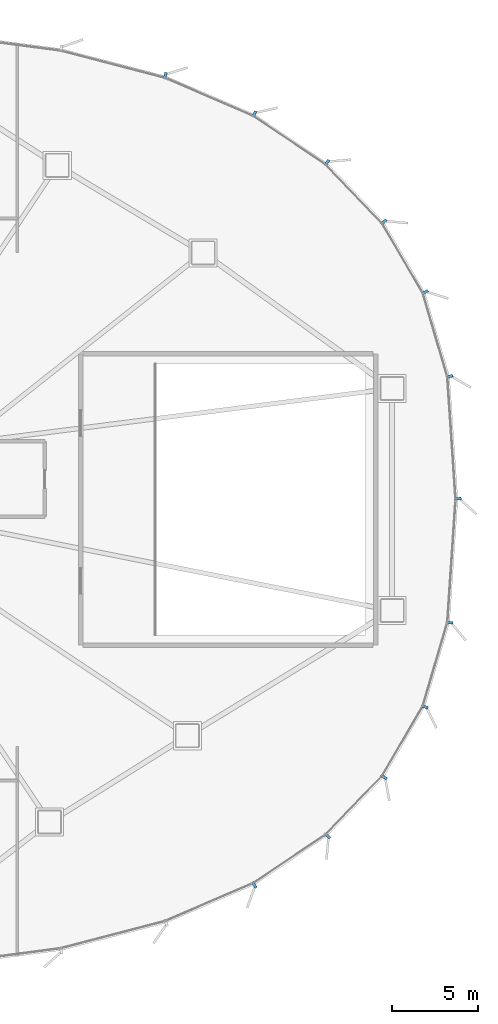
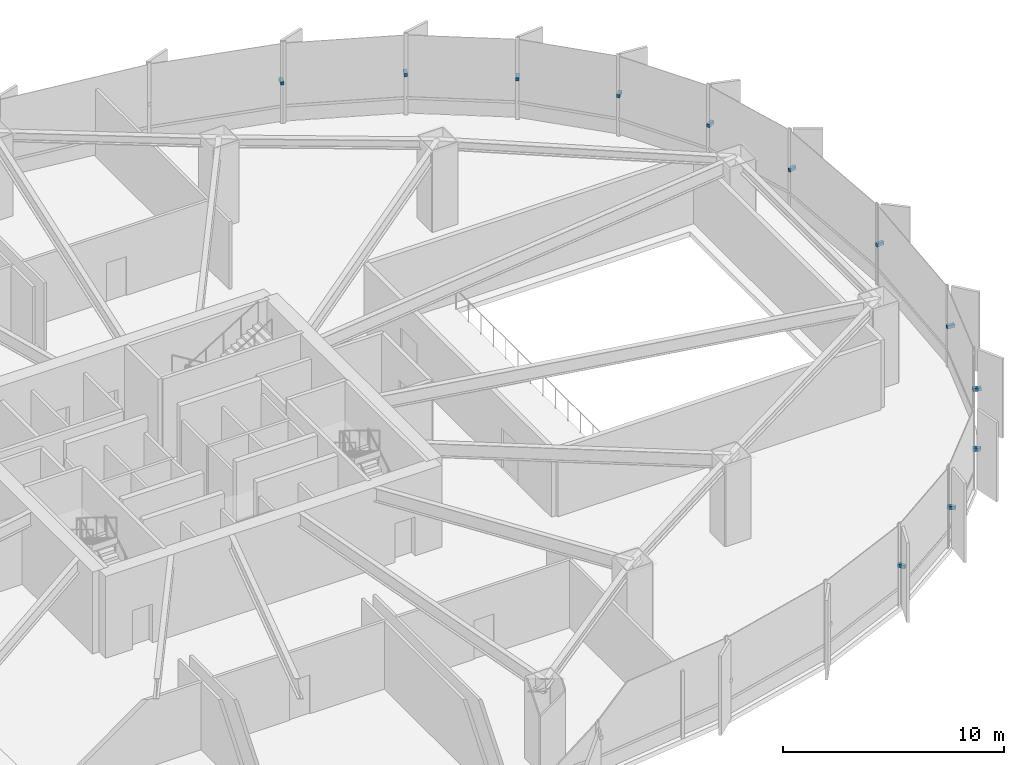
# One storey, part 28 of 34: 12 discrete accessories.
"""IFC4 building model written with IfcOpenShell, lengths in metres."""

from ifc_helpers import new_model, si_unit, direction, frame, origin, origin_2d, place, context, subcontext, project, spatial, rectangle, extrude, source, transform, mapped, material, type_object, element, save


model = new_model("IFC4")

# Units and contexts
model_context = context("Model", 3, precision=1e-05, world=origin(), true_north=direction((0.0, 1.0)))
body_context = subcontext(model_context, "Body", "Model", "MODEL_VIEW")
ifc_project = project(units=[si_unit("LENGTHUNIT", "METRE"), si_unit("AREAUNIT", "SQUARE_METRE"), si_unit("VOLUMEUNIT", "CUBIC_METRE"), si_unit("PLANEANGLEUNIT", "RADIAN"), si_unit("MASSUNIT", "GRAM", prefix="KILO"), si_unit("THERMODYNAMICTEMPERATUREUNIT", "KELVIN")], contexts=[model_context])

# Site, building, storey
site_placement = place(None, origin())
site = spatial("IfcSite", under=ifc_project, at=site_placement, CompositionType="ELEMENT")
building_placement = place(site_placement, origin())
building = spatial("IfcBuilding", under=site, at=building_placement, Name="Kethvar Cultural Tower", CompositionType="ELEMENT")
storey_placement = place(building_placement, frame((0.0, 0.0, 14.800048828125)))
storey = spatial("IfcBuildingStorey", under=building, at=storey_placement, Name="L03", CompositionType="ELEMENT", Elevation=14.800048828125)

# Discrete accessories
ifc_material = material(Name="Steel S355J2", Category="steel")
discrete_accessory_type = type_object("IfcDiscreteAccessoryType", Name="Steel Fin Bracket BRK-01", PredefinedType="BRACKET", material=ifc_material)
shared_shape = source(origin(), body_context, "Body", "SweptSolid", [
    extrude(rectangle(XDim=0.3798828125, YDim=0.159912109375, at=origin_2d()), origin(), (0.0, 0.0, 1.0), 0.179931640625),
])
for number, where, z_axis, x_axis, name in (
    (1, (83.206787109375, 27.849365234375, 2.1298828125), (0.0, 0.0, 1.0), (0.997754957227, 0.066970481029, 0.0), "L03 Terracotta Fin Bracket 1.1"),
    (2, (82.727294921875, 34.9814453125, 2.1298828125), (0.0, 0.0, 1.0), (0.959510852267, 0.281671660596, 0.0), "L03 Terracotta Fin Bracket 1.2"),
    (3, (81.28369140625, 39.896728515625, 2.1298828125), (0.0, 0.0, 1.0), (0.864011302865, 0.503472410885, 0.0), "L03 Terracotta Fin Bracket 1.3"),
    (4, (78.8916015625, 44.000732421875, 2.1298828125), (0.0, 0.0, 1.0), (0.72055111168, 0.693401828276, 0.0), "L03 Terracotta Fin Bracket 1.4"),
    (5, (75.568603515625, 47.4541015625, 2.1298828125), (0.0, 0.0, 1.0), (0.556585649903, 0.83079023485, 0.0), "L03 Terracotta Fin Bracket 1.5"),
    (6, (71.330322265625, 50.293212890625, 2.1298828125), (0.0, 0.0, 1.0), (0.396346847517, 0.9181008531, 0.0), "L03 Terracotta Fin Bracket 1.6"),
    (7, (66.128662109375, 52.531005859375, 2.1298828125), (0.0, 0.0, 1.0), (0.253082602519, 0.96744467351, 0.0), "L03 Terracotta Fin Bracket 2.1"),
    (8, (71.331787109375, 5.3076171875, 2.1298828125), (0.0, 0.0, 1.0), (0.556585649903, -0.83079023485, 0.0), "L03 Terracotta Fin Bracket 5.6"),
    (9, (75.60400390625, 8.182373046875, 2.1298828125), (0.0, 0.0, 1.0), (0.72055111168, -0.693401828276, 0.0), "L03 Terracotta Fin Bracket 6.1"),
    (10, (78.893310546875, 11.601318359375, 2.1298828125), (0.0, 0.0, 1.0), (0.864011302865, -0.503472410885, 0.0), "L03 Terracotta Fin Bracket 6.2"),
    (11, (81.28466796875, 15.70556640625, 2.1298828125), (0.0, 0.0, 1.0), (0.959510852267, -0.281671660596, 0.0), "L03 Terracotta Fin Bracket 6.3"),
    (12, (82.727783203125, 20.62060546875, 2.1298828125), (0.0, 0.0, 1.0), (0.997754957227, -0.066970481029, 0.0), "L03 Terracotta Fin Bracket 6.4"),
):
    element("IfcDiscreteAccessory", number, at=place(storey_placement, frame(where, z_axis=z_axis, x_axis=x_axis)), inside=storey, type_object=discrete_accessory_type, Name=name, PredefinedType="BRACKET", context=body_context, shape_type="MappedRepresentation", body=[
        mapped(shared_shape, transform((0.0, 0.0, 0.0), scale=1.0)),
    ])

save(model, "model.ifc")
